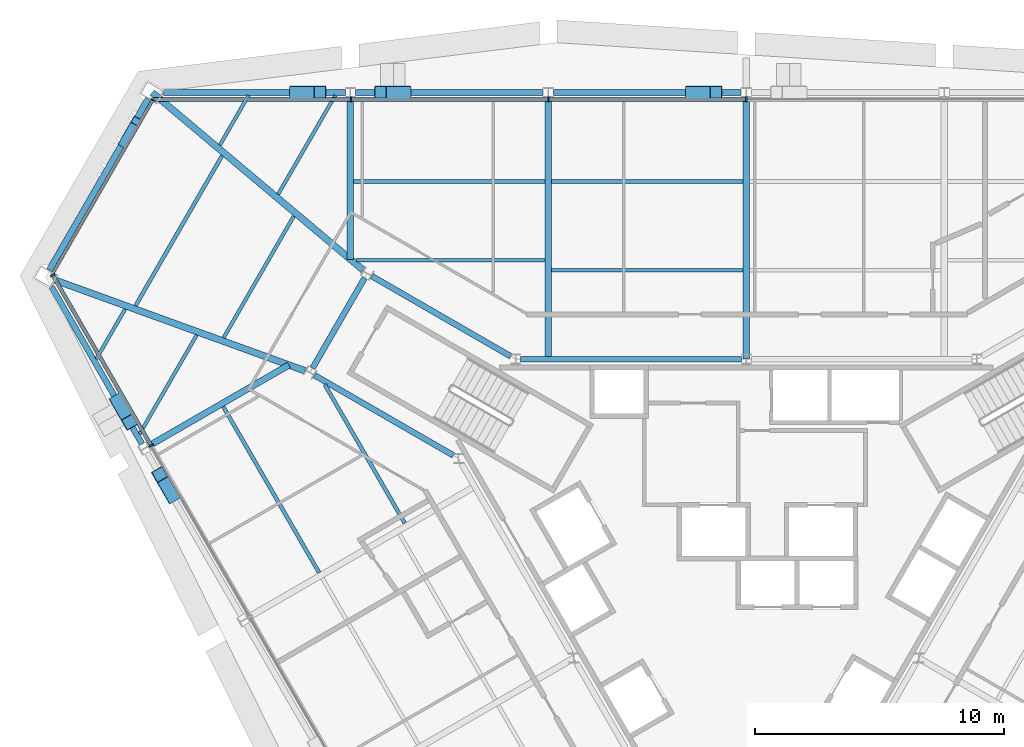
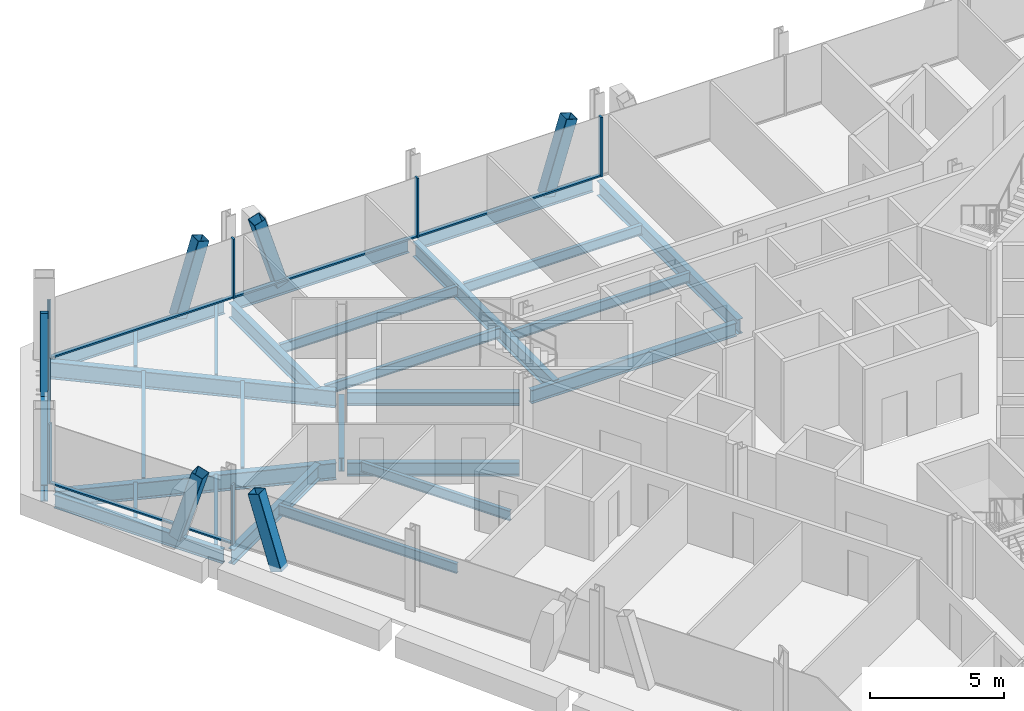
# One storey, part 6 of 14: 27 beams, 17 members, 3 elements without a shape of their own.
"""IFC4 building model written with IfcOpenShell, lengths in metres."""

from ifc_helpers import new_model, si_unit, direction, frame, origin, origin_2d, place, context, subcontext, project, spatial, rectangle, hollow_rectangle, i_section, extrude, material, material_profile, profile_set, type_object, element, aggregate, save


model = new_model("IFC4")

# Units and contexts
model_context = context("Model", 3, precision=1e-05, world=origin(), true_north=direction((0.0, 1.0)))
body_context = subcontext(model_context, "Body", "Model", "MODEL_VIEW")
ifc_project = project(units=[si_unit("LENGTHUNIT", "METRE"), si_unit("AREAUNIT", "SQUARE_METRE"), si_unit("VOLUMEUNIT", "CUBIC_METRE"), si_unit("PLANEANGLEUNIT", "RADIAN"), si_unit("MASSUNIT", "GRAM", prefix="KILO")], contexts=[model_context])

# Site, building, storey
site_placement = place(None, origin())
site = spatial("IfcSite", under=ifc_project, at=site_placement, CompositionType="ELEMENT")
building_placement = place(site_placement, origin())
building = spatial("IfcBuilding", under=site, at=building_placement, Name="Verrane Prism Tower", CompositionType="ELEMENT")
storey_placement = place(building_placement, frame((0.0, 0.0, 193.199951171875)))
storey = spatial("IfcBuildingStorey", under=building, at=storey_placement, Name="L48", CompositionType="ELEMENT", Elevation=193.199951171875)

# Member
ifc_material_1 = material(Name="Steel A500 Grade C", Category="steel")
ifc_material_profile_1 = material_profile(ifc_material_1, hollow_rectangle(XDim=0.3046875, YDim=0.3046875, WallThickness=0.0126953125, InnerFilletRadius=0.00634765625, OuterFilletRadius=0.01904296875, at=origin_2d()), Name="HSS12x12x1/2")
ifc_profile_set_1 = profile_set([ifc_material_profile_1], Name="Steel A500 Grade C")
member_type_1 = type_object("IfcMemberType", Name="Chamfer brace HSS12x12x1/2", PredefinedType="BRACE", material=ifc_profile_set_1)
member_1_placement = place(storey_placement, frame((-25.03125, 16.680419921875, -0.242431640625), z_axis=(0.156575563455, 0.271303155925, 0.949672938708), x_axis=(-0.866110249334, 0.499853014394, 0.0)))
element("IfcMember", 1, at=member_1_placement, inside=storey, type_object=member_type_1, Name="Chamfer brace NW0 L48", PredefinedType="BRACE", context=body_context, shape_type="SweptSolid", body=[
    extrude(hollow_rectangle(XDim=0.3046875, YDim=0.3046875, WallThickness=0.0126953125, InnerFilletRadius=0.00634765625, OuterFilletRadius=0.01904296875, at=origin_2d()), origin(), (0.0, 0.0, 1.0), 3.27294921875),
])

# Beams
ifc_material_2 = material(Name="Steel A992", Category="steel")
ifc_material_profile_2 = material_profile(ifc_material_2, i_section(OverallWidth=0.2666015625, OverallDepth=0.7568359375, WebThickness=0.013916015625, FlangeThickness=0.019287109375, FilletRadius=0.0166015625, at=origin_2d()), Name="W30x108")
ifc_profile_set_2 = profile_set([ifc_material_profile_2], Name="Steel A992")
beam_type_1 = type_object("IfcBeamType", Name="Chamfer spandrel beam W30x108", PredefinedType="SPANDREL", material=ifc_profile_set_2)
beam_1_placement = place(storey_placement, frame((-24.010009765625, 18.4501953125, -0.538330078125), z_axis=(-0.499772118917, -0.86615693102, 0.0), x_axis=(0.86615693102, -0.499772118917, 0.0)))
element("IfcBeam", 2, at=beam_1_placement, inside=storey, type_object=beam_type_1, Name="Chamfer spandrel beam L48", PredefinedType="SPANDREL", context=body_context, shape_type="SweptSolid", body=[
    extrude(i_section(OverallWidth=0.2666015625, OverallDepth=0.7568359375, WebThickness=0.013916015625, FlangeThickness=0.019287109375, FilletRadius=0.0166015625, at=origin_2d()), origin(), (0.0, 0.0, 1.0), 7.943603515625),
])
ifc_material_3 = material(Name="Steel A992", Category="steel")
ifc_material_profile_3 = material_profile(ifc_material_3, i_section(OverallWidth=0.23046875, OverallDepth=0.6171875, WebThickness=0.01318359375, FlangeThickness=0.022216796875, FilletRadius=0.012939453125, at=origin_2d()), Name="W24x94")
ifc_profile_set_3 = profile_set([ifc_material_profile_3], Name="Steel A992")
beam_type_2 = type_object("IfcBeamType", Name="Core ring girder W24x94", PredefinedType="BEAM", material=ifc_profile_set_3)
beam_2_placement = place(storey_placement, frame((-0.20068359375, 8.0, -0.55859375), z_axis=(-1.0, 0.0, 0.0), x_axis=(0.0, -1.0, 0.0)))
element("IfcBeam", 3, at=beam_2_placement, inside=storey, type_object=beam_type_2, Name="Core ring girder L48", PredefinedType="BEAM", context=body_context, shape_type="SweptSolid", body=[
    extrude(i_section(OverallWidth=0.23046875, OverallDepth=0.6171875, WebThickness=0.01318359375, FlangeThickness=0.022216796875, FilletRadius=0.012939453125, at=origin_2d()), origin(), (0.0, 0.0, 1.0), 8.858642578125),
])
beam_3_placement = place(storey_placement, frame((-9.460693359375, 8.11572265625, -0.55859375), z_axis=(-0.866075143088, 0.499913839102, 0.0), x_axis=(-0.499913839102, -0.866075143088, 0.0)))
element("IfcBeam", 4, at=beam_3_placement, inside=storey, type_object=beam_type_2, Name="Core ring girder L48", PredefinedType="BEAM", context=body_context, shape_type="SweptSolid", body=[
    extrude(i_section(OverallWidth=0.23046875, OverallDepth=0.6171875, WebThickness=0.01318359375, FlangeThickness=0.022216796875, FilletRadius=0.012939453125, at=origin_2d()), origin(), (0.0, 0.0, 1.0), 6.441650390625),
])
beam_4_placement = place(storey_placement, frame((-15.32177734375, 11.26416015625, -0.55859375), z_axis=(-0.500305747711, -0.865848808284, 0.0), x_axis=(0.865848808284, -0.500305747711, 0.0)))
element("IfcBeam", 5, at=beam_4_placement, inside=storey, type_object=beam_type_2, Name="Core ring girder L48", PredefinedType="BEAM", context=body_context, shape_type="SweptSolid", body=[
    extrude(i_section(OverallWidth=0.23046875, OverallDepth=0.6171875, WebThickness=0.01318359375, FlangeThickness=0.022216796875, FilletRadius=0.012939453125, at=origin_2d()), origin(), (0.0, 0.0, 1.0), 4.1904296875),
])
beam_5_placement = place(storey_placement, frame((-17.339599609375, 7.35595703125, -0.55859375), z_axis=(0.866075143088, -0.499913839102, 0.0), x_axis=(0.499913839102, 0.866075143088, 0.0)))
element("IfcBeam", 6, at=beam_5_placement, inside=storey, type_object=beam_type_2, Name="Core ring girder L48", PredefinedType="BEAM", context=body_context, shape_type="SweptSolid", body=[
    extrude(i_section(OverallWidth=0.23046875, OverallDepth=0.6171875, WebThickness=0.01318359375, FlangeThickness=0.022216796875, FilletRadius=0.012939453125, at=origin_2d()), origin(), (0.0, 0.0, 1.0), 6.441650390625),
])
ifc_material_4 = material(Name="Steel A992", Category="steel")
ifc_material_profile_4 = material_profile(ifc_material_4, i_section(OverallWidth=0.2666015625, OverallDepth=0.76708984375, WebThickness=0.014892578125, FlangeThickness=0.023681640625, FilletRadius=0.0166015625, at=origin_2d()), Name="W30x124")
ifc_profile_set_4 = profile_set([ifc_material_profile_4], Name="Steel A992")
beam_type_3 = type_object("IfcBeamType", Name="Corner girder W30x124", PredefinedType="BEAM", material=ifc_profile_set_4)
beam_6_placement = place(storey_placement, frame((-23.85791015625, 18.7080078125, -0.603515625), z_axis=(0.765174039001, -0.643823492923, 0.0), x_axis=(0.643823492923, 0.765174039001, 0.0)))
element("IfcBeam", 7, at=beam_6_placement, inside=storey, type_object=beam_type_3, Name="Corner girder L48", PredefinedType="BEAM", context=body_context, shape_type="SweptSolid", body=[
    extrude(i_section(OverallWidth=0.2666015625, OverallDepth=0.76708984375, WebThickness=0.014892578125, FlangeThickness=0.023681640625, FilletRadius=0.0166015625, at=origin_2d()), origin(), (0.0, 0.0, 1.0), 11.077392578125),
])
beam_7_placement = place(storey_placement, frame((-27.747314453125, 11.171142578125, -0.603515625), z_axis=(0.940029060961, -0.341094363114, 0.0), x_axis=(0.341094363114, 0.940029060961, 0.0)))
element("IfcBeam", 8, at=beam_7_placement, inside=storey, type_object=beam_type_3, Name="Corner girder L48", PredefinedType="BEAM", context=body_context, shape_type="SweptSolid", body=[
    extrude(i_section(OverallWidth=0.2666015625, OverallDepth=0.76708984375, WebThickness=0.014892578125, FlangeThickness=0.023681640625, FilletRadius=0.0166015625, at=origin_2d()), origin(), (0.0, 0.0, 1.0), 10.66845703125),
])

# Members
ifc_material_5 = material(Name="Steel A500 Grade C", Category="steel")
ifc_material_profile_5 = material_profile(ifc_material_5, hollow_rectangle(XDim=0.508056640625, YDim=0.508056640625, WallThickness=0.01904296875, InnerFilletRadius=0.009521484375, OuterFilletRadius=0.028564453125, at=origin_2d()), Name="HSS20x20x3/4")
ifc_profile_set_5 = profile_set([ifc_material_profile_5], Name="Steel A500 Grade C")
member_type_2 = type_object("IfcMemberType", Name="Facade brace HSS20x20x3/4", PredefinedType="BRACE", material=ifc_profile_set_5)
for number, where, z_axis, x_axis, name in (
    (9, (-2.194091796875, 18.7099609375, -0.216552734375), (0.29348541112, 0.0, 0.95596355237), (0.0, 1.0, 0.0), "Facade brace N3 L48"),
    (10, (-13.705810546875, 18.7099609375, -0.216552734375), (-0.29348541112, 0.0, 0.95596355237), (0.0, -1.0, 0.0), "Facade brace N4 L48"),
):
    element("IfcMember", number, at=place(storey_placement, frame(where, z_axis=z_axis, x_axis=x_axis)), inside=storey, type_object=member_type_2, Name=name, PredefinedType="BRACE", context=body_context, shape_type="SweptSolid", body=[
        extrude(hollow_rectangle(XDim=0.508056640625, YDim=0.508056640625, WallThickness=0.01904296875, InnerFilletRadius=0.009521484375, OuterFilletRadius=0.028564453125, at=origin_2d()), origin(), (0.0, 0.0, 1.0), 3.34326171875),
    ])
member_2_placement = place(storey_placement, frame((-18.096923828125, 18.7099609375, -0.216552734375), z_axis=(0.293819030565, 0.0, 0.955861065887), x_axis=(0.0, 1.0, 0.0)))
element("IfcMember", 11, at=member_2_placement, inside=storey, type_object=member_type_2, Name="Facade brace N5 L48", PredefinedType="BRACE", context=body_context, shape_type="SweptSolid", body=[
    extrude(hollow_rectangle(XDim=0.508056640625, YDim=0.508056640625, WallThickness=0.01904296875, InnerFilletRadius=0.009521484375, OuterFilletRadius=0.028564453125, at=origin_2d()), origin(), (0.0, 0.0, 1.0), 3.34375),
])
member_3_placement = place(storey_placement, frame((-25.255615234375, 6.321533203125, -0.216552734375), z_axis=(0.146485962201, -0.254342276345, 0.955955997597), x_axis=(0.866553987117, 0.499083347159, 0.0)))
element("IfcMember", 12, at=member_3_placement, inside=storey, type_object=member_type_2, Name="Facade brace SW0 L48", PredefinedType="BRACE", context=body_context, shape_type="SweptSolid", body=[
    extrude(hollow_rectangle(XDim=0.508056640625, YDim=0.508056640625, WallThickness=0.01904296875, InnerFilletRadius=0.009521484375, OuterFilletRadius=0.028564453125, at=origin_2d()), origin(), (0.0, 0.0, 1.0), 3.34326171875),
])
member_4_placement = place(storey_placement, frame((-23.0615234375, 2.518310546875, -0.216552734375), z_axis=(-0.146914662602, 0.254325929346, 0.955894556724), x_axis=(-0.865908146456, -0.500203040675, 0.0)))
element("IfcMember", 13, at=member_4_placement, inside=storey, type_object=member_type_2, Name="Facade brace SW1 L48", PredefinedType="BRACE", context=body_context, shape_type="SweptSolid", body=[
    extrude(hollow_rectangle(XDim=0.508056640625, YDim=0.508056640625, WallThickness=0.01904296875, InnerFilletRadius=0.009521484375, OuterFilletRadius=0.028564453125, at=origin_2d()), origin(), (0.0, 0.0, 1.0), 3.343505859375),
])

# Beams
ifc_material_6 = material(Name="Steel A992", Category="steel")
ifc_material_profile_6 = material_profile(ifc_material_6, i_section(OverallWidth=0.140380859375, OverallDepth=0.40380859375, WebThickness=0.007080078125, FlangeThickness=0.01123046875, FilletRadius=0.01025390625, at=origin_2d()), Name="W16x31")
ifc_profile_set_6 = profile_set([ifc_material_profile_6], Name="Steel A992")
beam_type_4 = type_object("IfcBeamType", Name="Floor beam W16x31", PredefinedType="BEAM", material=ifc_profile_set_6)
beam_8_placement = place(storey_placement, frame((-18.79638671875, 14.622314453125, -0.36181640625), z_axis=(0.500014226777, 0.866017189795, 0.0), x_axis=(-0.866017189795, 0.500014226777, 0.0)))
element("IfcBeam", 14, at=beam_8_placement, inside=storey, type_object=beam_type_4, Name="Floor beam L48", PredefinedType="BEAM", context=body_context, shape_type="SweptSolid", body=[
    extrude(i_section(OverallWidth=0.140380859375, OverallDepth=0.40380859375, WebThickness=0.007080078125, FlangeThickness=0.01123046875, FilletRadius=0.01025390625, at=origin_2d()), origin(), (0.0, 0.0, 1.0), 4.587158203125),
])
beam_9_placement = place(storey_placement, frame((-21.138916015625, 16.593994140625, -0.36181640625), z_axis=(0.50000294753, 0.86602370202, 0.0), x_axis=(-0.86602370202, 0.50000294753, 0.0)))
element("IfcBeam", 15, at=beam_9_placement, inside=storey, type_object=beam_type_4, Name="Floor beam L48", PredefinedType="BEAM", context=body_context, shape_type="SweptSolid", body=[
    extrude(i_section(OverallWidth=0.140380859375, OverallDepth=0.40380859375, WebThickness=0.007080078125, FlangeThickness=0.01123046875, FilletRadius=0.01025390625, at=origin_2d()), origin(), (0.0, 0.0, 1.0), 2.310546875),
])
beam_10_placement = place(storey_placement, frame((-24.3603515625, 4.997802734375, -0.36181640625), z_axis=(0.500008050843, 0.866020755578, 0.0), x_axis=(-0.866020755578, 0.500008050843, 0.0)))
element("IfcBeam", 16, at=beam_10_placement, inside=storey, type_object=beam_type_4, Name="Floor beam L48", PredefinedType="BEAM", context=body_context, shape_type="SweptSolid", body=[
    extrude(i_section(OverallWidth=0.140380859375, OverallDepth=0.40380859375, WebThickness=0.007080078125, FlangeThickness=0.01123046875, FilletRadius=0.01025390625, at=origin_2d()), origin(), (0.0, 0.0, 1.0), 4.587890625),
])
beam_11_placement = place(storey_placement, frame((-26.0966796875, 8.01123046875, -0.36181640625), z_axis=(0.49999068997, 0.866030778866, 0.0), x_axis=(-0.866030778866, 0.49999068997, 0.0)))
element("IfcBeam", 17, at=beam_11_placement, inside=storey, type_object=beam_type_4, Name="Floor beam L48", PredefinedType="BEAM", context=body_context, shape_type="SweptSolid", body=[
    extrude(i_section(OverallWidth=0.140380859375, OverallDepth=0.40380859375, WebThickness=0.007080078125, FlangeThickness=0.01123046875, FilletRadius=0.01025390625, at=origin_2d()), origin(), (0.0, 0.0, 1.0), 2.31103515625),
])
beam_12_placement = place(storey_placement, frame((-20.986572265625, 8.86376953125, -0.36181640625), z_axis=(0.500001171754, 0.866024727271, 0.0), x_axis=(-0.866024727271, 0.500001171754, 0.0)))
element("IfcBeam", 18, at=beam_12_placement, inside=storey, type_object=beam_type_4, Name="Floor beam L48", PredefinedType="BEAM", context=body_context, shape_type="SweptSolid", body=[
    extrude(i_section(OverallWidth=0.140380859375, OverallDepth=0.40380859375, WebThickness=0.007080078125, FlangeThickness=0.01123046875, FilletRadius=0.01025390625, at=origin_2d()), origin(), (0.0, 0.0, 1.0), 5.63623046875),
])
ifc_material_7 = material(Name="Steel A992", Category="steel")
ifc_material_profile_7 = material_profile(ifc_material_7, i_section(OverallWidth=0.15234375, OverallDepth=0.449462890625, WebThickness=0.007568359375, FlangeThickness=0.0107421875, FilletRadius=0.01025390625, at=origin_2d()), Name="W18x35")
ifc_profile_set_7 = profile_set([ifc_material_profile_7], Name="Steel A992")
beam_type_5 = type_object("IfcBeamType", Name="Floor beam W18x35", PredefinedType="BEAM", material=ifc_profile_set_7)
for number, where, z_axis, x_axis, name in (
    (19, (-7.822998046875, 11.570068359375, -0.384765625), (1.0, 0.0, 0.0), (0.0, 1.0, 0.0), "Floor beam L48"),
    (20, (-7.822998046875, 15.139892578125, -0.384765625), (1.0, 0.0, 0.0), (0.0, 1.0, 0.0), "Floor beam L48"),
):
    element("IfcBeam", number, at=place(storey_placement, frame(where, z_axis=z_axis, x_axis=x_axis)), inside=storey, type_object=beam_type_5, Name=name, PredefinedType="BEAM", context=body_context, shape_type="SweptSolid", body=[
        extrude(i_section(OverallWidth=0.15234375, OverallDepth=0.449462890625, WebThickness=0.007568359375, FlangeThickness=0.0107421875, FilletRadius=0.01025390625, at=origin_2d()), origin(), (0.0, 0.0, 1.0), 7.696044921875),
    ])
beam_13_placement = place(storey_placement, frame((-15.64501953125, 11.969970703125, -0.384765625), z_axis=(1.0, 0.0, 0.0), x_axis=(0.0, 1.0, 0.0)))
element("IfcBeam", 21, at=beam_13_placement, inside=storey, type_object=beam_type_5, Name="Floor beam L48", PredefinedType="BEAM", context=body_context, shape_type="SweptSolid", body=[
    extrude(i_section(OverallWidth=0.15234375, OverallDepth=0.449462890625, WebThickness=0.007568359375, FlangeThickness=0.0107421875, FilletRadius=0.01025390625, at=origin_2d()), origin(), (0.0, 0.0, 1.0), 7.568115234375),
])
beam_14_placement = place(storey_placement, frame((-15.77294921875, 15.139892578125, -0.384765625), z_axis=(1.0, 0.0, 0.0), x_axis=(0.0, 1.0, 0.0)))
element("IfcBeam", 22, at=beam_14_placement, inside=storey, type_object=beam_type_5, Name="Floor beam L48", PredefinedType="BEAM", context=body_context, shape_type="SweptSolid", body=[
    extrude(i_section(OverallWidth=0.15234375, OverallDepth=0.449462890625, WebThickness=0.007568359375, FlangeThickness=0.0107421875, FilletRadius=0.01025390625, at=origin_2d()), origin(), (0.0, 0.0, 1.0), 7.696044921875),
])
beam_15_placement = place(storey_placement, frame((-13.7109375, 1.4130859375, -0.384765625), z_axis=(-0.499999433879, 0.866025730634, 0.0), x_axis=(-0.866025730634, -0.499999433879, 0.0)))
element("IfcBeam", 23, at=beam_15_placement, inside=storey, type_object=beam_type_5, Name="Floor beam L48", PredefinedType="BEAM", context=body_context, shape_type="SweptSolid", body=[
    extrude(i_section(OverallWidth=0.15234375, OverallDepth=0.449462890625, WebThickness=0.007568359375, FlangeThickness=0.0107421875, FilletRadius=0.01025390625, at=origin_2d()), origin(), (0.0, 0.0, 1.0), 6.4345703125),
])
beam_16_placement = place(storey_placement, frame((-17.151123046875, -0.573974609375, -0.384765625), z_axis=(-0.50001143954, 0.866018799062, 0.0), x_axis=(-0.866018799062, -0.50001143954, 0.0)))
element("IfcBeam", 24, at=beam_16_placement, inside=storey, type_object=beam_type_5, Name="Floor beam L48", PredefinedType="BEAM", context=body_context, shape_type="SweptSolid", body=[
    extrude(i_section(OverallWidth=0.15234375, OverallDepth=0.449462890625, WebThickness=0.007568359375, FlangeThickness=0.0107421875, FilletRadius=0.01025390625, at=origin_2d()), origin(), (0.0, 0.0, 1.0), 7.702880859375),
])
beam_17_placement = place(storey_placement, frame((-24.525390625, 10.14599609375, -0.384765625), z_axis=(0.500009115389, 0.866020140948, 0.0), x_axis=(-0.866020140948, 0.500009115389, 0.0)))
element("IfcBeam", 25, at=beam_17_placement, inside=storey, type_object=beam_type_5, Name="Floor beam L48", PredefinedType="BEAM", context=body_context, shape_type="SweptSolid", body=[
    extrude(i_section(OverallWidth=0.15234375, OverallDepth=0.449462890625, WebThickness=0.007568359375, FlangeThickness=0.0107421875, FilletRadius=0.01025390625, at=origin_2d()), origin(), (0.0, 0.0, 1.0), 6.954345703125),
])

# Curtain wall, member
ifc_material_8 = material(Name="Aluminium framed insulated glazing", Category="aluminium")
curtain_wall_type_1 = type_object("IfcCurtainWallType", Name="Curtain wall CW-B 5600 module", PredefinedType="NOTDEFINED", material=ifc_material_8)
curtain_wall_1_placement = place(storey_placement, origin())
curtain_wall_1 = element("IfcCurtainWall", 26, at=curtain_wall_1_placement, inside=storey, type_object=curtain_wall_type_1, Name="Glazed curtain wall north-west corner L48", PredefinedType="NOTDEFINED")
ifc_material_9 = material(Name="Aluminium alloy 6063-T6", Category="aluminium")
ifc_material_profile_8 = material_profile(ifc_material_9, rectangle(XDim=0.159912109375, YDim=0.06005859375, at=origin_2d()), Name="Mullion 60x160 aluminium")
ifc_profile_set_8 = profile_set([ifc_material_profile_8], Name="Aluminium alloy 6063-T6")
member_type_3 = type_object("IfcMemberType", Name="Mullion 60x160 aluminium", PredefinedType="MULLION", material=ifc_profile_set_8)
member_5_placement = place(storey_placement, frame((-23.827880859375, 18.405029296875, 0.0), z_axis=(0.0, 0.0, 1.0), x_axis=(0.866022763997, -0.500004572218, 0.0)))
member_5 = element("IfcMember", 27, at=member_5_placement, type_object=member_type_3, Name="CW47.3 mullion 1", PredefinedType="MULLION", context=body_context, shape_type="SweptSolid", body=[
    extrude(rectangle(XDim=0.159912109375, YDim=0.06005859375, at=origin_2d()), origin(), (0.0, 0.0, 1.0), 2.712890625),
])

# Curtain wall, members
ifc_material_10 = material(Name="Aluminium framed insulated glazing", Category="aluminium")
curtain_wall_type_2 = type_object("IfcCurtainWallType", Name="Curtain wall CW-A 8400 module", PredefinedType="NOTDEFINED", material=ifc_material_10)
curtain_wall_2_placement = place(storey_placement, origin())
curtain_wall_2 = element("IfcCurtainWall", 28, at=curtain_wall_2_placement, inside=storey, type_object=curtain_wall_type_2, Name="Glazed curtain wall north face L48", PredefinedType="NOTDEFINED")
ifc_material_11 = material(Name="Aluminium alloy 6063-T6", Category="aluminium")
ifc_material_profile_9 = material_profile(ifc_material_11, rectangle(XDim=0.199951171875, YDim=0.070068359375, at=origin_2d()), Name="Mullion 70x200 aluminium")
ifc_profile_set_9 = profile_set([ifc_material_profile_9], Name="Aluminium alloy 6063-T6")
member_type_4 = type_object("IfcMemberType", Name="Mullion 70x200 aluminium", PredefinedType="MULLION", material=ifc_profile_set_9)
member_6_placement = place(storey_placement, frame((0.0, 18.430908203125, 0.0), z_axis=(0.0, 0.0, 1.0), x_axis=(0.0, -1.0, 0.0)))
member_6 = element("IfcMember", 29, at=member_6_placement, type_object=member_type_4, Name="CW47.2 mullion 4", PredefinedType="MULLION", context=body_context, shape_type="SweptSolid", body=[
    extrude(rectangle(XDim=0.199951171875, YDim=0.070068359375, at=origin_2d()), origin(), (0.0, 0.0, 1.0), 2.712890625),
])
member_7_placement = place(storey_placement, frame((-7.937744140625, 18.430908203125, 0.0), z_axis=(0.0, 0.0, 1.0), x_axis=(0.0, -1.0, 0.0)))
member_7 = element("IfcMember", 30, at=member_7_placement, type_object=member_type_4, Name="CW47.2 mullion 5", PredefinedType="MULLION", context=body_context, shape_type="SweptSolid", body=[
    extrude(rectangle(XDim=0.199951171875, YDim=0.070068359375, at=origin_2d()), origin(), (0.0, 0.0, 1.0), 2.712890625),
])
member_8_placement = place(storey_placement, frame((-15.875244140625, 18.430908203125, 0.0), z_axis=(0.0, 0.0, 1.0), x_axis=(0.0, -1.0, 0.0)))
member_8 = element("IfcMember", 31, at=member_8_placement, type_object=member_type_4, Name="CW47.2 mullion 6", PredefinedType="MULLION", context=body_context, shape_type="SweptSolid", body=[
    extrude(rectangle(XDim=0.199951171875, YDim=0.070068359375, at=origin_2d()), origin(), (0.0, 0.0, 1.0), 2.712890625),
])

curtain_wall_3_placement = place(storey_placement, origin())
curtain_wall_3 = element("IfcCurtainWall", 32, at=curtain_wall_3_placement, inside=storey, type_object=curtain_wall_type_2, Name="Glazed curtain wall south-west face L48", PredefinedType="NOTDEFINED")
member_9_placement = place(storey_placement, frame((-27.8505859375, 11.376708984375, 0.0), z_axis=(0.0, 0.0, 1.0), x_axis=(0.866025652206, 0.499999569721, 0.0)))
member_9 = element("IfcMember", 33, at=member_9_placement, type_object=member_type_4, Name="CW47.4 mullion 1", PredefinedType="MULLION", context=body_context, shape_type="SweptSolid", body=[
    extrude(rectangle(XDim=0.199951171875, YDim=0.070068359375, at=origin_2d()), origin(), (0.0, 0.0, 1.0), 2.712890625),
])
member_10_placement = place(storey_placement, frame((-23.8994140625, 4.532958984375, 0.0), z_axis=(0.0, 0.0, 1.0), x_axis=(0.866025652206, 0.499999569721, 0.0)))
member_10 = element("IfcMember", 34, at=member_10_placement, type_object=member_type_4, Name="CW47.4 mullion 2", PredefinedType="MULLION", context=body_context, shape_type="SweptSolid", body=[
    extrude(rectangle(XDim=0.199951171875, YDim=0.070068359375, at=origin_2d()), origin(), (0.0, 0.0, 1.0), 2.712890625),
])

# Beams
ifc_material_12 = material(Name="Steel A992", Category="steel")
ifc_material_profile_10 = material_profile(ifc_material_12, i_section(OverallWidth=0.25390625, OverallDepth=0.683349609375, WebThickness=0.012451171875, FlangeThickness=0.01904296875, FilletRadius=0.01513671875, at=origin_2d()), Name="W27x94")
ifc_profile_set_10 = profile_set([ifc_material_profile_10], Name="Steel A992")
beam_type_6 = type_object("IfcBeamType", Name="Radial girder W27x94", PredefinedType="BEAM", material=ifc_profile_set_10)
for number, where, z_axis, x_axis, name in (
    (35, (0.0, 18.501708984375, -0.5615234375), (0.0, -1.0, 0.0), (1.0, 0.0, 0.0), "Radial girder L48"),
    (36, (-7.949951171875, 18.501708984375, -0.5615234375), (0.0, -1.0, 0.0), (1.0, 0.0, 0.0), "Radial girder L48"),
):
    element("IfcBeam", number, at=place(storey_placement, frame(where, z_axis=z_axis, x_axis=x_axis)), inside=storey, type_object=beam_type_6, Name=name, PredefinedType="BEAM", context=body_context, shape_type="SweptSolid", body=[
        extrude(i_section(OverallWidth=0.25390625, OverallDepth=0.683349609375, WebThickness=0.012451171875, FlangeThickness=0.01904296875, FilletRadius=0.01513671875, at=origin_2d()), origin(), (0.0, 0.0, 1.0), 10.501708984375),
    ])
beam_18_placement = place(storey_placement, frame((-15.89990234375, 18.501708984375, -0.5615234375), z_axis=(0.0, -1.0, 0.0), x_axis=(1.0, 0.0, 0.0)))
element("IfcBeam", 37, at=beam_18_placement, inside=storey, type_object=beam_type_6, Name="Radial girder L48", PredefinedType="BEAM", context=body_context, shape_type="SweptSolid", body=[
    extrude(i_section(OverallWidth=0.25390625, OverallDepth=0.683349609375, WebThickness=0.012451171875, FlangeThickness=0.01904296875, FilletRadius=0.01513671875, at=origin_2d()), origin(), (0.0, 0.0, 1.0), 6.489501953125),
])
beam_19_placement = place(storey_placement, frame((-23.9794921875, 4.524169921875, -0.5615234375), z_axis=(0.866019429159, 0.500010348212, 0.0), x_axis=(-0.500010348212, 0.866019429159, 0.0)))
element("IfcBeam", 38, at=beam_19_placement, inside=storey, type_object=beam_type_6, Name="Radial girder L48", PredefinedType="BEAM", context=body_context, shape_type="SweptSolid", body=[
    extrude(i_section(OverallWidth=0.25390625, OverallDepth=0.683349609375, WebThickness=0.012451171875, FlangeThickness=0.01904296875, FilletRadius=0.01513671875, at=origin_2d()), origin(), (0.0, 0.0, 1.0), 6.484130859375),
])
ifc_material_13 = material(Name="Steel A992", Category="steel")
ifc_material_profile_11 = material_profile(ifc_material_13, i_section(OverallWidth=0.23046875, OverallDepth=0.6171875, WebThickness=0.01318359375, FlangeThickness=0.022216796875, FilletRadius=0.012939453125, at=origin_2d()), Name="W24x94")
ifc_profile_set_11 = profile_set([ifc_material_profile_11], Name="Steel A992")
beam_type_7 = type_object("IfcBeamType", Name="Spandrel beam W24x94", PredefinedType="SPANDREL", material=ifc_profile_set_11)
beam_20_placement = place(storey_placement, frame((-0.203125, 18.7099609375, -0.468505859375), z_axis=(-1.0, 0.0, 0.0), x_axis=(0.0, -1.0, 0.0)))
element("IfcBeam", 39, at=beam_20_placement, inside=storey, type_object=beam_type_7, Name="Spandrel beam L48", PredefinedType="SPANDREL", context=body_context, shape_type="SweptSolid", body=[
    extrude(i_section(OverallWidth=0.23046875, OverallDepth=0.6171875, WebThickness=0.01318359375, FlangeThickness=0.022216796875, FilletRadius=0.012939453125, at=origin_2d()), origin(), (0.0, 0.0, 1.0), 7.543701171875),
])
beam_21_placement = place(storey_placement, frame((-8.1533203125, 18.7099609375, -0.468505859375), z_axis=(-1.0, 0.0, 0.0), x_axis=(0.0, -1.0, 0.0)))
element("IfcBeam", 40, at=beam_21_placement, inside=storey, type_object=beam_type_7, Name="Spandrel beam L48", PredefinedType="SPANDREL", context=body_context, shape_type="SweptSolid", body=[
    extrude(i_section(OverallWidth=0.23046875, OverallDepth=0.6171875, WebThickness=0.01318359375, FlangeThickness=0.022216796875, FilletRadius=0.012939453125, at=origin_2d()), origin(), (0.0, 0.0, 1.0), 7.54345703125),
])
beam_22_placement = place(storey_placement, frame((-16.103271484375, 18.7099609375, -0.468505859375), z_axis=(-1.0, 0.0, 0.0), x_axis=(0.0, -1.0, 0.0)))
element("IfcBeam", 41, at=beam_22_placement, inside=storey, type_object=beam_type_7, Name="Spandrel beam L48", PredefinedType="SPANDREL", context=body_context, shape_type="SweptSolid", body=[
    extrude(i_section(OverallWidth=0.23046875, OverallDepth=0.6171875, WebThickness=0.01318359375, FlangeThickness=0.022216796875, FilletRadius=0.012939453125, at=origin_2d()), origin(), (0.0, 0.0, 1.0), 7.294921875),
])
beam_23_placement = place(storey_placement, frame((-27.8994140625, 10.90966796875, -0.468505859375), z_axis=(0.49926409203, -0.86644986376, 0.0), x_axis=(0.86644986376, 0.49926409203, 0.0)))
element("IfcBeam", 42, at=beam_23_placement, inside=storey, type_object=beam_type_7, Name="Spandrel beam L48", PredefinedType="SPANDREL", context=body_context, shape_type="SweptSolid", body=[
    extrude(i_section(OverallWidth=0.23046875, OverallDepth=0.6171875, WebThickness=0.01318359375, FlangeThickness=0.022216796875, FilletRadius=0.012939453125, at=origin_2d()), origin(), (0.0, 0.0, 1.0), 7.28662109375),
])

# Member
ifc_material_14 = material(Name="Aluminium alloy 6063-T6", Category="aluminium")
ifc_material_profile_12 = material_profile(ifc_material_14, rectangle(XDim=0.1201171875, YDim=0.06005859375, at=origin_2d()), Name="Transom 60x120 aluminium")
ifc_profile_set_12 = profile_set([ifc_material_profile_12], Name="Aluminium alloy 6063-T6")
member_type_5 = type_object("IfcMemberType", Name="Transom 60x120 aluminium", PredefinedType="USERDEFINED", material=ifc_profile_set_12)
member_11_placement = place(storey_placement, frame((-23.843017578125, 18.379150390625, 0.030029296875), z_axis=(-0.499977961001, -0.866038127632, 0.0), x_axis=(0.866038127632, -0.499977961001, 0.0)))
member_11 = element("IfcMember", 43, at=member_11_placement, type_object=member_type_5, Name="CW47.3 transom 1", ObjectType="TRANSOM", PredefinedType="USERDEFINED", context=body_context, shape_type="SweptSolid", body=[
    extrude(rectangle(XDim=0.1201171875, YDim=0.06005859375, at=origin_2d()), origin(), (0.0, 0.0, 1.0), 8.050537109375),
])

aggregate(curtain_wall_1, [member_5, member_11])

ifc_material_15 = material(Name="Aluminium alloy 6063-T6", Category="aluminium")
ifc_material_profile_13 = material_profile(ifc_material_15, rectangle(XDim=0.14990234375, YDim=0.070068359375, at=origin_2d()), Name="Transom 70x150 aluminium")
ifc_profile_set_13 = profile_set([ifc_material_profile_13], Name="Aluminium alloy 6063-T6")
member_type_6 = type_object("IfcMemberType", Name="Transom 70x150 aluminium", PredefinedType="USERDEFINED", material=ifc_profile_set_13)
member_12_placement = place(storey_placement, frame((-0.034912109375, 18.430908203125, 0.03515625), z_axis=(-1.0, 0.0, 0.0), x_axis=(0.0, -1.0, 0.0)))
member_12 = element("IfcMember", 44, at=member_12_placement, type_object=member_type_6, Name="CW47.2 transom 4", ObjectType="TRANSOM", PredefinedType="USERDEFINED", context=body_context, shape_type="SweptSolid", body=[
    extrude(rectangle(XDim=0.14990234375, YDim=0.070068359375, at=origin_2d()), origin(), (0.0, 0.0, 1.0), 7.86767578125),
])

member_13_placement = place(storey_placement, frame((-7.97265625, 18.430908203125, 0.03515625), z_axis=(-1.0, 0.0, 0.0), x_axis=(0.0, -1.0, 0.0)))
member_13 = element("IfcMember", 45, at=member_13_placement, type_object=member_type_6, Name="CW47.2 transom 5", ObjectType="TRANSOM", PredefinedType="USERDEFINED", context=body_context, shape_type="SweptSolid", body=[
    extrude(rectangle(XDim=0.14990234375, YDim=0.070068359375, at=origin_2d()), origin(), (0.0, 0.0, 1.0), 7.86767578125),
])

member_14_placement = place(storey_placement, frame((-15.91015625, 18.430908203125, 0.03515625), z_axis=(-1.0, 0.0, 0.0), x_axis=(0.0, -1.0, 0.0)))
member_14 = element("IfcMember", 46, at=member_14_placement, type_object=member_type_6, Name="CW47.2 transom 6", ObjectType="TRANSOM", PredefinedType="USERDEFINED", context=body_context, shape_type="SweptSolid", body=[
    extrude(rectangle(XDim=0.14990234375, YDim=0.070068359375, at=origin_2d()), origin(), (0.0, 0.0, 1.0), 7.90283203125),
])

aggregate(curtain_wall_2, [member_6, member_7, member_8, member_12, member_13, member_14])

member_15_placement = place(storey_placement, frame((-27.833251953125, 11.346435546875, 0.03515625), z_axis=(0.499997665074, -0.86602675185, 0.0), x_axis=(0.86602675185, 0.499997665074, 0.0)))
member_15 = element("IfcMember", 47, at=member_15_placement, type_object=member_type_6, Name="CW47.4 transom 1", ObjectType="TRANSOM", PredefinedType="USERDEFINED", context=body_context, shape_type="SweptSolid", body=[
    extrude(rectangle(XDim=0.14990234375, YDim=0.070068359375, at=origin_2d()), origin(), (0.0, 0.0, 1.0), 7.83251953125),
])

aggregate(curtain_wall_3, [member_9, member_10, member_15])

save(model, "model.ifc")
